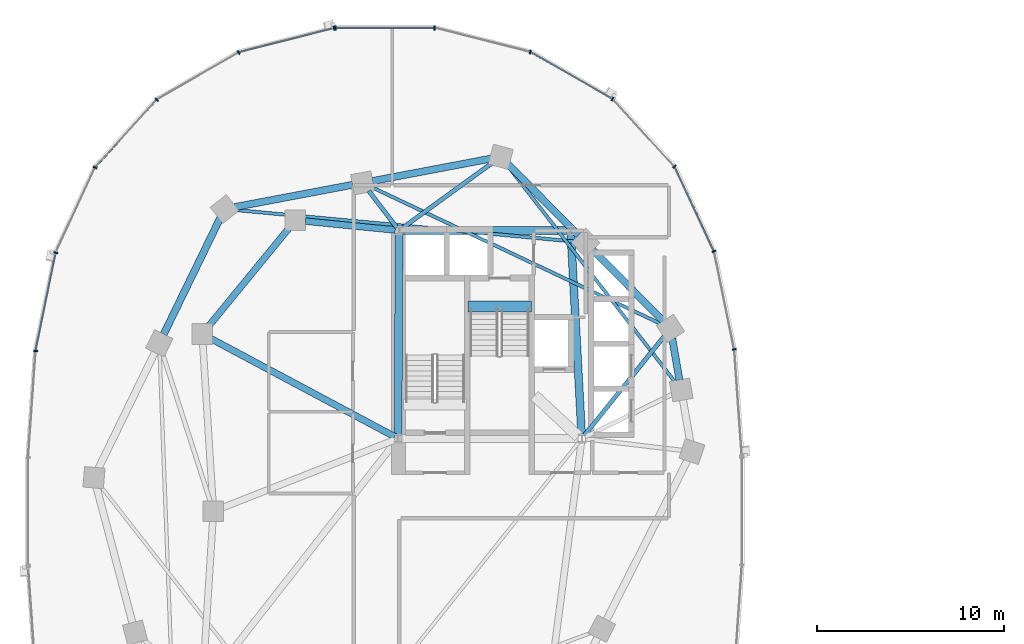
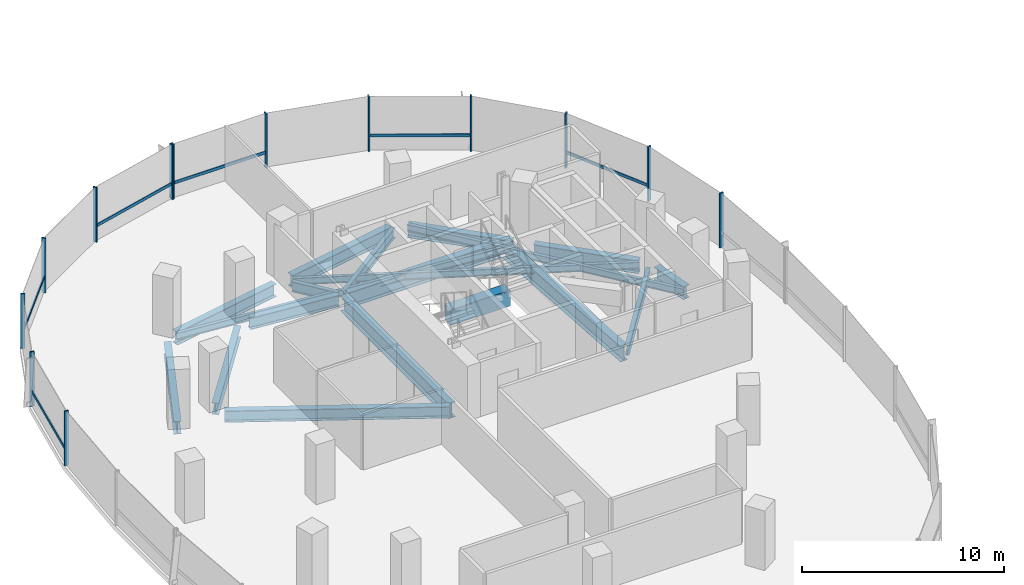
# One storey, part 4 of 20: 19 beams, 19 members, 2 elements without a shape of their own.
"""IFC4 building model written with IfcOpenShell, lengths in metres."""

import ifcopenshell
import ifcopenshell.guid

model = None  # the IFC model being written
_history = None  # IfcOwnerHistory: only IFC2X3 demands one
_inside = {}  # id of a spatial element -> (the spatial element, [elements in it])
_under = {}  # id of a project, library or spatial element -> (it, [spatial elements below it])
_declared = {}  # id of a project -> (the project, [libraries it declares])
_typed = {}  # id of a type object -> (the type object, [elements of that type])
_made_of = {}  # id of a material, layer set ... -> (it, [elements and type objects made of it])


def new_model(schema):
    """Start an empty IFC model of exactly this schema.

    Asked for "IFC4X3", IfcOpenShell would pick the latest addendum, in which some entities
    have other attributes; the version numbers below select the first issue.
    IFC2X3 requires an IfcOwnerHistory on every rooted entity: one is made here for all.
    """
    global model, _history
    if schema == "IFC4X3":
        model = ifcopenshell.file(schema_version=(4, 3, 0, 0))
    else:
        model = ifcopenshell.file(schema=schema)
    _inside.clear()
    _under.clear()
    _declared.clear()
    _typed.clear()
    _made_of.clear()
    _history = None
    if model.schema == "IFC2X3":
        org = make("IfcOrganization", Name="unknown")
        user = make(
            "IfcPersonAndOrganization",
            ThePerson=make("IfcPerson", FamilyName="unknown"),
            TheOrganization=org,
        )
        app = make(
            "IfcApplication",
            ApplicationDeveloper=org,
            Version="unknown",
            ApplicationFullName="unknown",
            ApplicationIdentifier="unknown",
        )
        _history = make(
            "IfcOwnerHistory",
            OwningUser=user,
            OwningApplication=app,
            ChangeAction="ADDED",
            CreationDate=0,
        )
    return model


def make(cls, **values):
    """One entity of the class cls with the attributes given. An attribute that is None is left unset."""
    return model.create_entity(
        cls, **{name: value for name, value in values.items() if value is not None}
    )


def rooted(cls, **values):
    """An entity with a GlobalId (a new one), such as an element, a storey or a relation."""
    return make(cls, GlobalId=ifcopenshell.guid.new(), OwnerHistory=_history, **values)


def si_unit(unit_type, name, prefix=None):
    """IfcSIUnit, for example si_unit("LENGTHUNIT", "METRE", prefix="MILLI")."""
    return make("IfcSIUnit", UnitType=unit_type, Prefix=prefix, Name=name)


def assignment(units):
    """IfcUnitAssignment: the units of a project."""
    return None if units is None else make("IfcUnitAssignment", Units=units)


def point(xyz):
    """IfcCartesianPoint."""
    return None if xyz is None else make("IfcCartesianPoint", Coordinates=xyz)


def direction(xyz):
    """IfcDirection."""
    return None if xyz is None else make("IfcDirection", DirectionRatios=xyz)


def frame(location, z_axis=None, x_axis=None):
    """IfcAxis2Placement3D, a coordinate frame: its origin and axes. An axis left out is left unset."""
    return make(
        "IfcAxis2Placement3D",
        Location=point(location),
        Axis=direction(z_axis),
        RefDirection=direction(x_axis),
    )


def frame_2d(location, x_axis=None):
    """IfcAxis2Placement2D, a coordinate frame in the plane: its origin and x axis."""
    return make(
        "IfcAxis2Placement2D", Location=point(location), RefDirection=direction(x_axis)
    )


def origin():
    """The frame at (0, 0, 0) with its axes left unset."""
    return frame((0.0, 0.0, 0.0))


def origin_2d():
    """The frame at (0, 0) in the plane with its x axis left unset."""
    return frame_2d((0.0, 0.0))


def place(relative_to, where):
    """IfcLocalPlacement: puts the frame where relative to a parent placement (None: the world)."""
    return make(
        "IfcLocalPlacement", PlacementRelTo=relative_to, RelativePlacement=where
    )


def context(
    kind, dimensions, precision=None, world=None, true_north=None, identifier=None
):
    """IfcGeometricRepresentationContext, for example the 3D "Model" context."""
    return make(
        "IfcGeometricRepresentationContext",
        ContextIdentifier=identifier,
        ContextType=kind,
        CoordinateSpaceDimension=dimensions,
        Precision=precision,
        WorldCoordinateSystem=world,
        TrueNorth=true_north,
    )


def subcontext(parent, identifier, kind, view, scale=None):
    """IfcGeometricRepresentationSubContext, for example "Body" below "Model"."""
    return make(
        "IfcGeometricRepresentationSubContext",
        ContextIdentifier=identifier,
        ContextType=kind,
        ParentContext=parent,
        TargetScale=scale,
        TargetView=view,
    )


def project(units=None, contexts=None):
    """IfcProject with its units and contexts."""
    return rooted(
        "IfcProject",
        Name="project",
        RepresentationContexts=contexts,
        UnitsInContext=assignment(units),
    )


def spatial(cls, under=None, at=None, **own):
    """A site, building, storey or space (cls), placed at a placement, below another one or the project."""
    s = rooted(cls, ObjectPlacement=at, **own)
    if under is not None:
        _under.setdefault(under.id(), (under, []))[1].append(s)
    return s


def profile(cls, at=None, kind="AREA", **sizes):
    """A parametric profile (cls). Its sizes go by their IFC names, for example OverallWidth=200.0."""
    return make(cls, ProfileType=kind, Position=at, **sizes)


def rectangle(**sizes):
    """IfcRectangleProfileDef."""
    return profile("IfcRectangleProfileDef", **sizes)


def i_section(**sizes):
    """IfcIShapeProfileDef."""
    return profile("IfcIShapeProfileDef", **sizes)


def extrude(swept, where, along, depth):
    """IfcExtrudedAreaSolid: the profile swept, set in the frame where, extruded along a direction by depth."""
    return make(
        "IfcExtrudedAreaSolid",
        SweptArea=swept,
        Position=where,
        ExtrudedDirection=direction(along),
        Depth=depth,
    )


def shape(context_of_items, identifier, shape_type, items):
    """IfcShapeRepresentation: the items that make up one representation, for example the "Body"."""
    return make(
        "IfcShapeRepresentation",
        ContextOfItems=context_of_items,
        RepresentationIdentifier=identifier,
        RepresentationType=shape_type,
        Items=items,
    )


def material(Name=None, Category=None):
    """IfcMaterial."""
    return make("IfcMaterial", Name=Name, Category=Category)


def material_profile(
    of_material, cross_section, Name=None, Category=None, Priority=None
):
    """IfcMaterialProfile: a cross section and its material."""
    return make(
        "IfcMaterialProfile",
        Name=Name,
        Material=of_material,
        Profile=cross_section,
        Priority=Priority,
        Category=Category,
    )


def profile_set(profiles, Name=None, composite=None):
    """IfcMaterialProfileSet."""
    return make(
        "IfcMaterialProfileSet",
        Name=Name,
        MaterialProfiles=profiles,
        CompositeProfile=composite,
    )


def made_of(thing, what):
    """Note that an element or type object is made of a material, layer set ...; save() writes the relation."""
    if what is not None:
        _made_of.setdefault(what.id(), (what, []))[1].append(thing)
    return thing


def type_object(cls, material=None, **own):
    """A type object (cls), such as IfcWallType, which elements share."""
    return made_of(rooted(cls, **own), material)


def element(
    cls,
    number,
    at=None,
    inside=None,
    cuts=None,
    type_object=None,
    material=None,
    context=None,
    identifier="Body",
    shape_type=None,
    held_by="IfcProductDefinitionShape",
    body=None,
    shapes=None,
    **own,
):
    """One element of the class cls, such as IfcWall. Its Tag is "e" and its number.

    at: its placement. inside: the storey or other place that contains it. cuts: it is an
    opening in that element (IfcRelVoidsElement). A single representation is given by context,
    identifier, shape_type and body (its items); several are given by shapes. held_by: the class
    of the entity that holds the representations. save() writes the other relations.
    """
    e = rooted(cls, Tag="e%d" % number, ObjectPlacement=at, **own)
    if body is not None:
        shapes = [shape(context, identifier, shape_type, body)]
    if shapes is not None:
        e.Representation = make(held_by, Representations=shapes)
    if inside is not None:
        _inside.setdefault(inside.id(), (inside, []))[1].append(e)
    if cuts is not None:
        rooted(
            "IfcRelVoidsElement", RelatingBuildingElement=cuts, RelatedOpeningElement=e
        )
    if type_object is not None:
        _typed.setdefault(type_object.id(), (type_object, []))[1].append(e)
    return made_of(e, material)


def aggregate(whole, parts):
    """IfcRelAggregates: a whole, such as a stair, and the parts it consists of."""
    return rooted("IfcRelAggregates", RelatingObject=whole, RelatedObjects=parts)


def save(model, path):
    """Write the relations noted so far, then the file.

    IfcRelAggregates (storeys below a building ...), IfcRelContainedInSpatialStructure (elements
    in a storey), IfcRelDefinesByType, IfcRelAssociatesMaterial and IfcRelDeclares: one each for
    every whole, place, type object, material and project.
    """
    for whole, parts in _under.values():
        aggregate(whole, parts)
    for where, things in _inside.values():
        rooted(
            "IfcRelContainedInSpatialStructure",
            RelatedElements=things,
            RelatingStructure=where,
        )
    for kind, things in _typed.values():
        rooted("IfcRelDefinesByType", RelatedObjects=things, RelatingType=kind)
    for what, things in _made_of.values():
        rooted("IfcRelAssociatesMaterial", RelatedObjects=things, RelatingMaterial=what)
    for by, libraries in _declared.values():
        rooted("IfcRelDeclares", RelatingContext=by, RelatedDefinitions=libraries)
    model.write(path)


model = new_model("IFC4")

# Units and contexts
model_context = context("Model", 3, precision=1e-05, world=origin(), true_north=direction((0.0, 1.0)))
body_context = subcontext(model_context, "Body", "Model", "MODEL_VIEW")
ifc_project = project(units=[si_unit("LENGTHUNIT", "METRE"), si_unit("AREAUNIT", "SQUARE_METRE"), si_unit("VOLUMEUNIT", "CUBIC_METRE"), si_unit("PLANEANGLEUNIT", "RADIAN"), si_unit("MASSUNIT", "GRAM", prefix="KILO"), si_unit("THERMODYNAMICTEMPERATUREUNIT", "KELVIN"), si_unit("POWERUNIT", "WATT")], contexts=[model_context])

# Site, building, storey
site_placement = place(None, origin())
site = spatial("IfcSite", under=ifc_project, at=site_placement, CompositionType="ELEMENT")
building_placement = place(site_placement, origin())
building = spatial("IfcBuilding", under=site, at=building_placement, Name="Cundina Bronze Exchange", CompositionType="ELEMENT")
storey_placement = place(building_placement, frame((0.0, 0.0, 125.0)))
storey = spatial("IfcBuildingStorey", under=building, at=storey_placement, Name="L32", CompositionType="ELEMENT", Elevation=125.0)

# Beams
ifc_material_1 = material(Name="Concrete C60/75", Category="concrete")
ifc_material_profile_1 = material_profile(ifc_material_1, rectangle(XDim=0.60009765625, YDim=0.949951171875, at=origin_2d()), Name="RC600X950", Category="concrete")
ifc_profile_set_1 = profile_set([ifc_material_profile_1], Name="Concrete C60/75")
beam_type_1 = type_object("IfcBeamType", Name="BM-COUP-RC950", PredefinedType="LINTEL", material=ifc_profile_set_1)
beam_1_placement = place(storey_placement, frame((-27.56005859375, 10.97998046875, -0.47509765625), z_axis=(1.0, 0.0, 0.0), x_axis=(0.0, 1.0, 0.0)))
element("IfcBeam", 1, at=beam_1_placement, inside=storey, type_object=beam_type_1, Name="L32 Stair W2 Landing Header Beam", PredefinedType="LINTEL", context=body_context, shape_type="SweptSolid", body=[
    extrude(rectangle(XDim=0.60009765625, YDim=0.949951171875, at=origin_2d()), origin(), (0.0, 0.0, 1.0), 3.400146484375),
])
ifc_material_2 = material(Name="Steel ASTM A992 Grade 50", Category="steel")
ifc_material_profile_2 = material_profile(ifc_material_2, i_section(OverallWidth=0.22998046875, OverallDepth=0.616943359375, WebThickness=0.01318359375, FlangeThickness=0.022216796875, FilletRadius=0.013916015625, at=origin_2d()), Name="W24X94", Category="steel")
ifc_profile_set_2 = profile_set([ifc_material_profile_2], Name="Steel ASTM A992 Grade 50")
beam_type_2 = type_object("IfcBeamType", Name="BM-FLR-W24B", PredefinedType="BEAM", material=ifc_profile_set_2)
beam_2_placement = place(storey_placement, frame((-21.322021484375, 4.058837890625, -0.6083984375), z_axis=(0.627106187843, 0.778933777139, 0.0), x_axis=(-0.778933777139, 0.627106187843, 0.0)))
element("IfcBeam", 2, at=beam_2_placement, inside=storey, type_object=beam_type_2, Name="L32 Leg W Radial Floor Beam 02", PredefinedType="BEAM", context=body_context, shape_type="SweptSolid", body=[
    extrude(i_section(OverallWidth=0.22998046875, OverallDepth=0.616943359375, WebThickness=0.01318359375, FlangeThickness=0.022216796875, FilletRadius=0.013916015625, at=origin_2d()), origin(), (0.0, 0.0, 1.0), 6.83251953125),
])
beam_3_placement = place(storey_placement, frame((-31.084716796875, 15.169677734375, -0.6083984375), z_axis=(0.809686957662, 0.586862020063, 0.0), x_axis=(-0.586862020063, 0.809686957662, 0.0)))
element("IfcBeam", 3, at=beam_3_placement, inside=storey, type_object=beam_type_2, Name="L32 Leg W Radial Floor Beam 04", PredefinedType="BEAM", context=body_context, shape_type="SweptSolid", body=[
    extrude(i_section(OverallWidth=0.22998046875, OverallDepth=0.616943359375, WebThickness=0.01318359375, FlangeThickness=0.022216796875, FilletRadius=0.013916015625, at=origin_2d()), origin(), (0.0, 0.0, 1.0), 5.98876953125),
])
beam_4_placement = place(storey_placement, frame((-31.373779296875, 15.2119140625, -0.6083984375), z_axis=(-0.607490490457, 0.79432695032, 0.0), x_axis=(-0.79432695032, -0.607490490457, 0.0)))
element("IfcBeam", 4, at=beam_4_placement, inside=storey, type_object=beam_type_2, Name="L32 Leg W Radial Floor Beam 05", PredefinedType="BEAM", context=body_context, shape_type="SweptSolid", body=[
    extrude(i_section(OverallWidth=0.22998046875, OverallDepth=0.616943359375, WebThickness=0.01318359375, FlangeThickness=0.022216796875, FilletRadius=0.013916015625, at=origin_2d()), origin(), (0.0, 0.0, 1.0), 2.46826171875),
])
ifc_material_profile_3 = material_profile(ifc_material_2, i_section(OverallWidth=0.178955078125, OverallDepth=0.409912109375, WebThickness=0.0087890625, FlangeThickness=0.014404296875, FilletRadius=0.010986328125, at=origin_2d()), Name="W16X45", Category="steel")
ifc_profile_set_3 = profile_set([ifc_material_profile_3], Name="Steel ASTM A992 Grade 50")
beam_type_3 = type_object("IfcBeamType", Name="BM-JST-W16", PredefinedType="JOIST", material=ifc_profile_set_3)
beam_5_placement = place(storey_placement, frame((-16.454345703125, 6.92529296875, -0.5048828125), z_axis=(-0.612065218806, 0.790807288742, 0.0), x_axis=(-0.790807288742, -0.612065218806, 0.0)))
element("IfcBeam", 5, at=beam_5_placement, inside=storey, type_object=beam_type_3, Name="L32 Leg W Lobe Floor Joist 01-04", PredefinedType="JOIST", context=body_context, shape_type="SweptSolid", body=[
    extrude(i_section(OverallWidth=0.178955078125, OverallDepth=0.409912109375, WebThickness=0.0087890625, FlangeThickness=0.014404296875, FilletRadius=0.010986328125, at=origin_2d()), origin(), (0.0, 0.0, 1.0), 14.73095703125),
])
beam_6_placement = place(storey_placement, frame((-17.186279296875, 10.02978515625, -0.5048828125), z_axis=(-0.904069270633, 0.427385954259, 0.0), x_axis=(-0.427385954259, -0.904069270633, 0.0)))
element("IfcBeam", 6, at=beam_6_placement, inside=storey, type_object=beam_type_3, Name="L32 Leg W Lobe Floor Joist 02-05", PredefinedType="JOIST", context=body_context, shape_type="SweptSolid", body=[
    extrude(i_section(OverallWidth=0.178955078125, OverallDepth=0.409912109375, WebThickness=0.0087890625, FlangeThickness=0.014404296875, FilletRadius=0.010986328125, at=origin_2d()), origin(), (0.0, 0.0, 1.0), 17.175048828125),
])
beam_7_placement = place(storey_placement, frame((-21.78564453125, 14.44970703125, -0.5048828125), z_axis=(-0.995700674022, 0.092629194921, 0.0), x_axis=(-0.092629194921, -0.995700674022, 0.0)))
element("IfcBeam", 7, at=beam_7_placement, inside=storey, type_object=beam_type_3, Name="L32 Leg W Lobe Floor Joist 03-06", PredefinedType="JOIST", context=body_context, shape_type="SweptSolid", body=[
    extrude(i_section(OverallWidth=0.178955078125, OverallDepth=0.409912109375, WebThickness=0.0087890625, FlangeThickness=0.014404296875, FilletRadius=0.010986328125, at=origin_2d()), origin(), (0.0, 0.0, 1.0), 18.357421875),
])
ifc_material_profile_4 = material_profile(ifc_material_2, i_section(OverallWidth=0.35498046875, OverallDepth=0.695068359375, WebThickness=0.015380859375, FlangeThickness=0.02490234375, FilletRadius=0.01806640625, at=origin_2d()), Name="W27X146", Category="steel")
ifc_profile_set_4 = profile_set([ifc_material_profile_4], Name="Steel ASTM A992 Grade 50")
beam_type_4 = type_object("IfcBeamType", Name="BM-RING-W27", PredefinedType="USERDEFINED", material=ifc_profile_set_4)
beam_8_placement = place(storey_placement, frame((-31.452880859375, 15.070068359375, -0.6474609375), z_axis=(-0.995126271817, 0.098608839051, 0.0), x_axis=(-0.098608839051, -0.995126271817, 0.0)))
element("IfcBeam", 8, at=beam_8_placement, inside=storey, type_object=beam_type_4, Name="L32 W Inner Structural Ring Girder 01", ObjectType="GIRDER", PredefinedType="USERDEFINED", context=body_context, shape_type="SweptSolid", body=[
    extrude(i_section(OverallWidth=0.35498046875, OverallDepth=0.695068359375, WebThickness=0.015380859375, FlangeThickness=0.02490234375, FilletRadius=0.01806640625, at=origin_2d()), origin(), (0.0, 0.0, 1.0), 4.83544921875),
])
beam_9_placement = place(storey_placement, frame((-37.14111328125, 15.183837890625, -0.6474609375), z_axis=(-0.633926549035, -0.773393257295, 0.0), x_axis=(0.773393257295, -0.633926549035, 0.0)))
element("IfcBeam", 9, at=beam_9_placement, inside=storey, type_object=beam_type_4, Name="L32 W Inner Structural Ring Girder 02", ObjectType="GIRDER", PredefinedType="USERDEFINED", context=body_context, shape_type="SweptSolid", body=[
    extrude(i_section(OverallWidth=0.35498046875, OverallDepth=0.695068359375, WebThickness=0.015380859375, FlangeThickness=0.02490234375, FilletRadius=0.01806640625, at=origin_2d()), origin(), (0.0, 0.0, 1.0), 6.811279296875),
])
beam_10_placement = place(storey_placement, frame((-31.47998046875, 3.99609375, -0.6474609375), z_axis=(-0.882354758239, 0.470584828286, 0.0), x_axis=(-0.470584828286, -0.882354758239, 0.0)))
element("IfcBeam", 10, at=beam_10_placement, inside=storey, type_object=beam_type_4, Name="L32 W Core-to-Waist Tie Beam 2", ObjectType="GIRDER", PredefinedType="USERDEFINED", context=body_context, shape_type="SweptSolid", body=[
    extrude(i_section(OverallWidth=0.35498046875, OverallDepth=0.695068359375, WebThickness=0.015380859375, FlangeThickness=0.02490234375, FilletRadius=0.01806640625, at=origin_2d()), origin(), (0.0, 0.0, 1.0), 11.157958984375),
])
ifc_material_profile_5 = material_profile(ifc_material_2, i_section(OverallWidth=0.381103515625, OverallDepth=0.77294921875, WebThickness=0.0166015625, FlangeThickness=0.027099609375, FilletRadius=0.01904296875, at=origin_2d()), Name="W30X173", Category="steel")
ifc_profile_set_5 = profile_set([ifc_material_profile_5], Name="Steel ASTM A992 Grade 50")
beam_type_5 = type_object("IfcBeamType", Name="BM-RING-W30", PredefinedType="USERDEFINED", material=ifc_profile_set_5)
beam_11_placement = place(storey_placement, frame((-16.21728515625, 7.030029296875, -0.6865234375), z_axis=(-0.171690078326, 0.985151012284, 0.0), x_axis=(-0.985151012284, -0.171690078326, 0.0)))
element("IfcBeam", 11, at=beam_11_placement, inside=storey, type_object=beam_type_5, Name="L32 W Perimeter Ring Girder 01", ObjectType="GIRDER", PredefinedType="USERDEFINED", context=body_context, shape_type="SweptSolid", body=[
    extrude(i_section(OverallWidth=0.381103515625, OverallDepth=0.77294921875, WebThickness=0.0166015625, FlangeThickness=0.027099609375, FilletRadius=0.01904296875, at=origin_2d()), origin(), (0.0, 0.0, 1.0), 2.273681640625),
])
for number, where, z_axis, x_axis, name in (
    (12, (-17.078369140625, 10.1826171875, -0.6865234375), (-0.703226342126, 0.7109660412, 0.0), (-0.7109660412, -0.703226342126, 0.0), "L32 W Perimeter Ring Girder 02"),
    (13, (-21.62841796875, 14.782470703125, -0.6865234375), (-0.703226342126, 0.7109660412, 0.0), (-0.7109660412, -0.703226342126, 0.0), "L32 W Perimeter Ring Girder 03"),
):
    element("IfcBeam", number, at=place(storey_placement, frame(where, z_axis=z_axis, x_axis=x_axis)), inside=storey, type_object=beam_type_5, Name=name, ObjectType="GIRDER", PredefinedType="USERDEFINED", context=body_context, shape_type="SweptSolid", body=[
        extrude(i_section(OverallWidth=0.381103515625, OverallDepth=0.77294921875, WebThickness=0.0166015625, FlangeThickness=0.027099609375, FilletRadius=0.01904296875, at=origin_2d()), origin(), (0.0, 0.0, 1.0), 5.39404296875),
    ])
for number, where, z_axis, x_axis, name in (
    (14, (-26.32861328125, 18.89990234375, -0.6865234375), (-0.98257117919, -0.185886733861, 0.0), (0.185886733861, -0.98257117919, 0.0), "L32 W Perimeter Ring Girder 04"),
    (15, (-33.728515625, 17.5, -0.6865234375), (-0.98257117919, -0.185886733861, 0.0), (0.185886733861, -0.98257117919, 0.0), "L32 W Perimeter Ring Girder 05"),
):
    element("IfcBeam", number, at=place(storey_placement, frame(where, z_axis=z_axis, x_axis=x_axis)), inside=storey, type_object=beam_type_5, Name=name, ObjectType="GIRDER", PredefinedType="USERDEFINED", context=body_context, shape_type="SweptSolid", body=[
        extrude(i_section(OverallWidth=0.381103515625, OverallDepth=0.77294921875, WebThickness=0.0166015625, FlangeThickness=0.027099609375, FilletRadius=0.01904296875, at=origin_2d()), origin(), (0.0, 0.0, 1.0), 6.455322265625),
    ])
beam_12_placement = place(storey_placement, frame((-40.835205078125, 15.716064453125, -0.6865234375), z_axis=(-0.437193894283, -0.899367276924, 0.0), x_axis=(0.899367276924, -0.437193894283, 0.0)))
element("IfcBeam", 16, at=beam_12_placement, inside=storey, type_object=beam_type_5, Name="L32 W Perimeter Ring Girder 06", ObjectType="GIRDER", PredefinedType="USERDEFINED", context=body_context, shape_type="SweptSolid", body=[
    extrude(i_section(OverallWidth=0.381103515625, OverallDepth=0.77294921875, WebThickness=0.0166015625, FlangeThickness=0.027099609375, FilletRadius=0.01904296875, at=origin_2d()), origin(), (0.0, 0.0, 1.0), 6.929443359375),
])
ifc_material_profile_6 = material_profile(ifc_material_2, i_section(OverallWidth=0.41796875, OverallDepth=0.927001953125, WebThickness=0.019287109375, FlangeThickness=0.031982421875, FilletRadius=0.02392578125, at=origin_2d()), Name="W36X231", Category="steel")
ifc_profile_set_6 = profile_set([ifc_material_profile_6], Name="Steel ASTM A992 Grade 50")
beam_type_6 = type_object("IfcBeamType", Name="BM-WRN-W36B", PredefinedType="USERDEFINED", material=ifc_profile_set_6)
beam_13_placement = place(storey_placement, frame((-21.4609375, 4.103759765625, -0.763427734375), z_axis=(-0.053739193498, 0.998555005537, 0.0), x_axis=(-0.998555005537, -0.053739193498, 0.0)))
element("IfcBeam", 17, at=beam_13_placement, inside=storey, type_object=beam_type_6, Name="L32 W Core Perimeter Tie Girder 2", ObjectType="GIRDER", PredefinedType="USERDEFINED", context=body_context, shape_type="SweptSolid", body=[
    extrude(i_section(OverallWidth=0.41796875, OverallDepth=0.927001953125, WebThickness=0.019287109375, FlangeThickness=0.031982421875, FilletRadius=0.02392578125, at=origin_2d()), origin(), (0.0, 0.0, 1.0), 10.758056640625),
])
beam_14_placement = place(storey_placement, frame((-22.25390625, 15.050048828125, -0.763427734375), z_axis=(-1.0, 0.0, 0.0), x_axis=(0.0, -1.0, 0.0)))
element("IfcBeam", 18, at=beam_14_placement, inside=storey, type_object=beam_type_6, Name="L32 W Core Perimeter Tie Girder 3", ObjectType="GIRDER", PredefinedType="USERDEFINED", context=body_context, shape_type="SweptSolid", body=[
    extrude(i_section(OverallWidth=0.41796875, OverallDepth=0.927001953125, WebThickness=0.019287109375, FlangeThickness=0.031982421875, FilletRadius=0.02392578125, at=origin_2d()), origin(), (0.0, 0.0, 1.0), 8.7919921875),
])
beam_15_placement = place(storey_placement, frame((-31.2509765625, 14.845947265625, -0.763427734375), z_axis=(-0.004477329608, -0.99998997671, 0.0), x_axis=(0.99998997671, -0.004477329608, 0.0)))
element("IfcBeam", 19, at=beam_15_placement, inside=storey, type_object=beam_type_6, Name="L32 W Core Perimeter Tie Girder 4", ObjectType="GIRDER", PredefinedType="USERDEFINED", context=body_context, shape_type="SweptSolid", body=[
    extrude(i_section(OverallWidth=0.41796875, OverallDepth=0.927001953125, WebThickness=0.019287109375, FlangeThickness=0.031982421875, FilletRadius=0.02392578125, at=origin_2d()), origin(), (0.0, 0.0, 1.0), 10.741943359375),
])

# Curtain wall, members
ifc_material_3 = material(Name="Anodised Bronze Aluminium 6063-T6", Category="aluminium")
curtain_wall_type = type_object("IfcCurtainWallType", Name="CWS-TRD-MID", PredefinedType="NOTDEFINED", material=ifc_material_3)
curtain_wall_1_placement = place(storey_placement, origin())
curtain_wall_1 = element("IfcCurtainWall", 20, at=curtain_wall_1_placement, inside=storey, type_object=curtain_wall_type, Name="L32 CW-03 Curtain Wall Run CWR-L32-W1", PredefinedType="NOTDEFINED")
ifc_material_profile_7 = material_profile(ifc_material_3, rectangle(XDim=0.074951171875, YDim=0.219970703125, at=origin_2d()), Name="AL75X220", Category="aluminium")
ifc_profile_set_7 = profile_set([ifc_material_profile_7], Name="Anodised Bronze Aluminium 6063-T6")
member_type_1 = type_object("IfcMemberType", Name="CWM-MUL-220", PredefinedType="MULLION", material=ifc_profile_set_7)
member_1_placement = place(storey_placement, frame((-13.282958984375, 8.67822265625, 0.0), z_axis=(0.0, 0.0, 1.0), x_axis=(-0.201419845156, 0.979505000486, 0.0)))
member_1 = element("IfcMember", 21, at=member_1_placement, type_object=member_type_1, Name="CW-03 Mullion 2", PredefinedType="MULLION", context=body_context, shape_type="SweptSolid", body=[
    extrude(rectangle(XDim=0.074951171875, YDim=0.219970703125, at=origin_2d()), origin(), (0.0, 0.0, 1.0), 3.300048828125),
])
member_2_placement = place(storey_placement, frame((-14.3720703125, 13.931884765625, 0.0), z_axis=(0.0, 0.0, 1.0), x_axis=(-0.42087749791, 0.907117485088, 0.0)))
member_2 = element("IfcMember", 22, at=member_2_placement, type_object=member_type_1, Name="CW-03 Mullion 3", PredefinedType="MULLION", context=body_context, shape_type="SweptSolid", body=[
    extrude(rectangle(XDim=0.074951171875, YDim=0.219970703125, at=origin_2d()), origin(), (0.0, 0.0, 1.0), 3.300048828125),
])
member_3_placement = place(storey_placement, frame((-16.491455078125, 18.47705078125, 0.0), z_axis=(0.0, 0.0, 1.0), x_axis=(-0.674302387584, 0.738455340626, 0.0)))
member_3 = element("IfcMember", 23, at=member_3_placement, type_object=member_type_1, Name="CW-03 Mullion 4", PredefinedType="MULLION", context=body_context, shape_type="SweptSolid", body=[
    extrude(rectangle(XDim=0.074951171875, YDim=0.219970703125, at=origin_2d()), origin(), (0.0, 0.0, 1.0), 3.300048828125),
])
member_4_placement = place(storey_placement, frame((-19.810302734375, 22.097412109375, 0.0), z_axis=(0.0, 0.0, 1.0), x_axis=(-0.867070701164, 0.498185105339, 0.0)))
member_4 = element("IfcMember", 24, at=member_4_placement, type_object=member_type_1, Name="CW-03 Mullion 5", PredefinedType="MULLION", context=body_context, shape_type="SweptSolid", body=[
    extrude(rectangle(XDim=0.074951171875, YDim=0.219970703125, at=origin_2d()), origin(), (0.0, 0.0, 1.0), 3.300048828125),
])
member_5_placement = place(storey_placement, frame((-24.21484375, 24.61669921875, 0.0), z_axis=(0.0, 0.0, 1.0), x_axis=(-0.969488149345, 0.245138182011, 0.0)))
member_5 = element("IfcMember", 25, at=member_5_placement, type_object=member_type_1, Name="CW-03 Mullion 6", PredefinedType="MULLION", context=body_context, shape_type="SweptSolid", body=[
    extrude(rectangle(XDim=0.074951171875, YDim=0.219970703125, at=origin_2d()), origin(), (0.0, 0.0, 1.0), 3.300048828125),
])
member_6_placement = place(storey_placement, frame((-29.345458984375, 25.905029296875, 0.0), z_axis=(0.0, 0.0, 1.0), x_axis=(-1.0, 0.0, 0.0)))
member_6 = element("IfcMember", 26, at=member_6_placement, type_object=member_type_1, Name="CW-03 Mullion 7", PredefinedType="MULLION", context=body_context, shape_type="SweptSolid", body=[
    extrude(rectangle(XDim=0.074951171875, YDim=0.219970703125, at=origin_2d()), origin(), (0.0, 0.0, 1.0), 3.300048828125),
])
member_7_placement = place(storey_placement, frame((-34.654541015625, 25.905029296875, 0.0), z_axis=(0.0, 0.0, 1.0), x_axis=(-1.0, 0.0, 0.0)))
member_7 = element("IfcMember", 27, at=member_7_placement, type_object=member_type_1, Name="CW-03 End Mullion", PredefinedType="MULLION", context=body_context, shape_type="SweptSolid", body=[
    extrude(rectangle(XDim=0.074951171875, YDim=0.219970703125, at=origin_2d()), origin(), (0.0, 0.0, 1.0), 3.300048828125),
])

curtain_wall_2_placement = place(storey_placement, origin())
curtain_wall_2 = element("IfcCurtainWall", 28, at=curtain_wall_2_placement, inside=storey, type_object=curtain_wall_type, Name="L32 CW-03 Curtain Wall Run CWR-L32-W2", PredefinedType="NOTDEFINED")
member_8_placement = place(storey_placement, frame((-34.72607421875, 25.89599609375, 0.0), z_axis=(0.0, 0.0, 1.0), x_axis=(-0.969488149345, -0.245138182011, 0.0)))
member_8 = element("IfcMember", 29, at=member_8_placement, type_object=member_type_1, Name="CW-03 Mullion 1", PredefinedType="MULLION", context=body_context, shape_type="SweptSolid", body=[
    extrude(rectangle(XDim=0.074951171875, YDim=0.219970703125, at=origin_2d()), origin(), (0.0, 0.0, 1.0), 3.300048828125),
])
member_9_placement = place(storey_placement, frame((-39.848876953125, 24.591064453125, 0.0), z_axis=(0.0, 0.0, 1.0), x_axis=(-0.867070701164, -0.498185105339, 0.0)))
member_9 = element("IfcMember", 30, at=member_9_placement, type_object=member_type_1, Name="CW-03 Mullion 2", PredefinedType="MULLION", context=body_context, shape_type="SweptSolid", body=[
    extrude(rectangle(XDim=0.074951171875, YDim=0.219970703125, at=origin_2d()), origin(), (0.0, 0.0, 1.0), 3.300048828125),
])
member_10_placement = place(storey_placement, frame((-44.239501953125, 22.0576171875, 0.0), z_axis=(0.0, 0.0, 1.0), x_axis=(-0.674302387584, -0.738455340626, 0.0)))
member_10 = element("IfcMember", 31, at=member_10_placement, type_object=member_type_1, Name="CW-03 Mullion 3", PredefinedType="MULLION", context=body_context, shape_type="SweptSolid", body=[
    extrude(rectangle(XDim=0.074951171875, YDim=0.219970703125, at=origin_2d()), origin(), (0.0, 0.0, 1.0), 3.300048828125),
])
member_11_placement = place(storey_placement, frame((-47.544189453125, 18.423583984375, 0.0), z_axis=(0.0, 0.0, 1.0), x_axis=(-0.42087749791, -0.907117485088, 0.0)))
member_11 = element("IfcMember", 32, at=member_11_placement, type_object=member_type_1, Name="CW-03 Mullion 4", PredefinedType="MULLION", context=body_context, shape_type="SweptSolid", body=[
    extrude(rectangle(XDim=0.074951171875, YDim=0.219970703125, at=origin_2d()), origin(), (0.0, 0.0, 1.0), 3.300048828125),
])
member_12_placement = place(storey_placement, frame((-49.651123046875, 13.861328125, 0.0), z_axis=(0.0, 0.0, 1.0), x_axis=(-0.201419845156, -0.979505000486, 0.0)))
member_12 = element("IfcMember", 33, at=member_12_placement, type_object=member_type_1, Name="CW-03 Mullion 5", PredefinedType="MULLION", context=body_context, shape_type="SweptSolid", body=[
    extrude(rectangle(XDim=0.074951171875, YDim=0.219970703125, at=origin_2d()), origin(), (0.0, 0.0, 1.0), 3.300048828125),
])
member_13_placement = place(storey_placement, frame((-50.72900390625, 8.591552734375, 0.0), z_axis=(0.0, 0.0, 1.0), x_axis=(-0.070278787473, -0.997527389113, 0.0)))
member_13 = element("IfcMember", 34, at=member_13_placement, type_object=member_type_1, Name="CW-03 Mullion 6", PredefinedType="MULLION", context=body_context, shape_type="SweptSolid", body=[
    extrude(rectangle(XDim=0.074951171875, YDim=0.219970703125, at=origin_2d()), origin(), (0.0, 0.0, 1.0), 3.300048828125),
])

# Member
ifc_material_profile_8 = material_profile(ifc_material_3, rectangle(XDim=0.070068359375, YDim=0.179931640625, at=origin_2d()), Name="AL70X180", Category="aluminium")
ifc_profile_set_8 = profile_set([ifc_material_profile_8], Name="Anodised Bronze Aluminium 6063-T6")
member_type_2 = type_object("IfcMemberType", Name="CWM-TRN-180", PredefinedType="USERDEFINED", material=ifc_profile_set_8)
member_14_placement = place(storey_placement, frame((-14.389404296875, 13.96923828125, 0.919921875), z_axis=(-0.420811422796, 0.907148139195, 0.0), x_axis=(-0.907148139195, -0.420811422796, 0.0)))
member_14 = element("IfcMember", 35, at=member_14_placement, type_object=member_type_2, Name="CW-03 Spandrel Transom 3", ObjectType="TRANSOM", PredefinedType="USERDEFINED", context=body_context, shape_type="SweptSolid", body=[
    extrude(rectangle(XDim=0.070068359375, YDim=0.179931640625, at=origin_2d()), origin(), (0.0, 0.0, 1.0), 4.95166015625),
])

member_15_placement = place(storey_placement, frame((-19.845947265625, 22.117919921875, 0.919921875), z_axis=(-0.867097475651, 0.498138502546, 0.0), x_axis=(-0.498138502546, -0.867097475651, 0.0)))
member_15 = element("IfcMember", 36, at=member_15_placement, type_object=member_type_2, Name="CW-03 Spandrel Transom 5", ObjectType="TRANSOM", PredefinedType="USERDEFINED", context=body_context, shape_type="SweptSolid", body=[
    extrude(rectangle(XDim=0.070068359375, YDim=0.179931640625, at=origin_2d()), origin(), (0.0, 0.0, 1.0), 5.00634765625),
])

member_16_placement = place(storey_placement, frame((-29.38671875, 25.905029296875, 0.919921875), z_axis=(-1.0, 0.0, 0.0), x_axis=(0.0, -1.0, 0.0)))
member_16 = element("IfcMember", 37, at=member_16_placement, type_object=member_type_2, Name="CW-03 Spandrel Transom 7", ObjectType="TRANSOM", PredefinedType="USERDEFINED", context=body_context, shape_type="SweptSolid", body=[
    extrude(rectangle(XDim=0.070068359375, YDim=0.179931640625, at=origin_2d()), origin(), (0.0, 0.0, 1.0), 5.2265625),
])

aggregate(curtain_wall_1, [member_1, member_2, member_14, member_3, member_4, member_15, member_5, member_6, member_7, member_16])

member_17_placement = place(storey_placement, frame((-34.76611328125, 25.885986328125, 0.919921875), z_axis=(-0.969483968866, -0.245154714644, 0.0), x_axis=(0.245154714644, -0.969483968866, 0.0)))
member_17 = element("IfcMember", 38, at=member_17_placement, type_object=member_type_2, Name="CW-03 Spandrel Transom 1", ObjectType="TRANSOM", PredefinedType="USERDEFINED", context=body_context, shape_type="SweptSolid", body=[
    extrude(rectangle(XDim=0.070068359375, YDim=0.179931640625, at=origin_2d()), origin(), (0.0, 0.0, 1.0), 5.21826171875),
])

member_18_placement = place(storey_placement, frame((-44.26708984375, 22.027099609375, 0.919921875), z_axis=(-0.674302794847, -0.738454968743, 0.0), x_axis=(0.738454968743, -0.674302794847, 0.0)))
member_18 = element("IfcMember", 39, at=member_18_placement, type_object=member_type_2, Name="CW-03 Spandrel Transom 3", ObjectType="TRANSOM", PredefinedType="USERDEFINED", context=body_context, shape_type="SweptSolid", body=[
    extrude(rectangle(XDim=0.070068359375, YDim=0.179931640625, at=origin_2d()), origin(), (0.0, 0.0, 1.0), 4.848388671875),
])

member_19_placement = place(storey_placement, frame((-49.659423828125, 13.821044921875, 0.919921875), z_axis=(-0.201427712708, -0.979503382615, 0.0), x_axis=(0.979503382615, -0.201427712708, 0.0)))
member_19 = element("IfcMember", 40, at=member_19_placement, type_object=member_type_2, Name="CW-03 Spandrel Transom 5", ObjectType="TRANSOM", PredefinedType="USERDEFINED", context=body_context, shape_type="SweptSolid", body=[
    extrude(rectangle(XDim=0.070068359375, YDim=0.179931640625, at=origin_2d()), origin(), (0.0, 0.0, 1.0), 5.291748046875),
])

aggregate(curtain_wall_2, [member_8, member_17, member_9, member_10, member_18, member_11, member_12, member_19, member_13])

save(model, "model.ifc")
